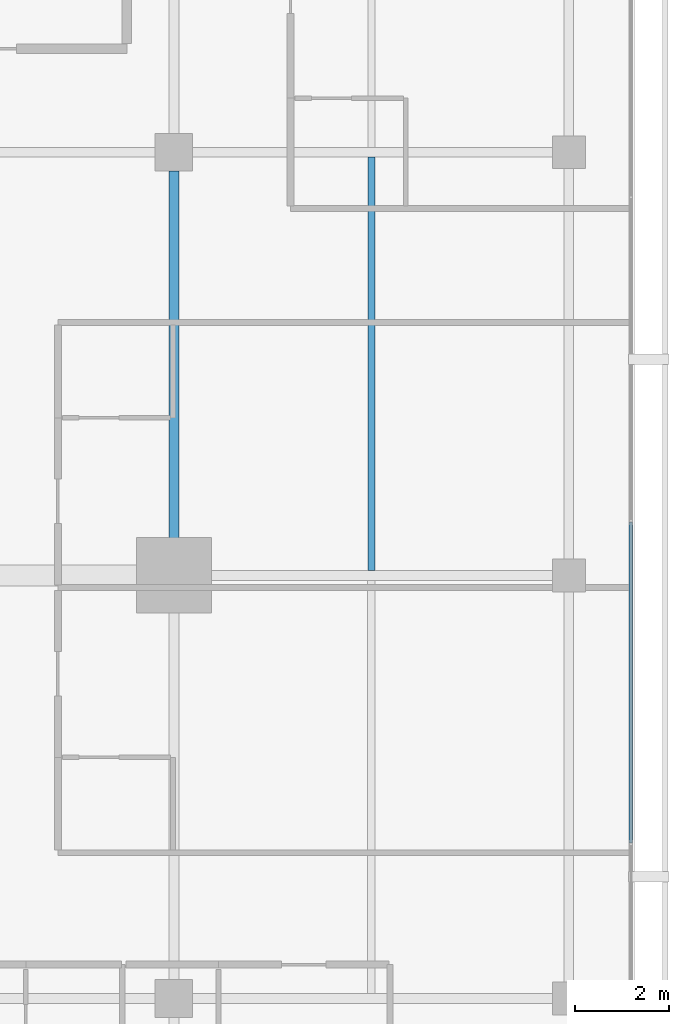
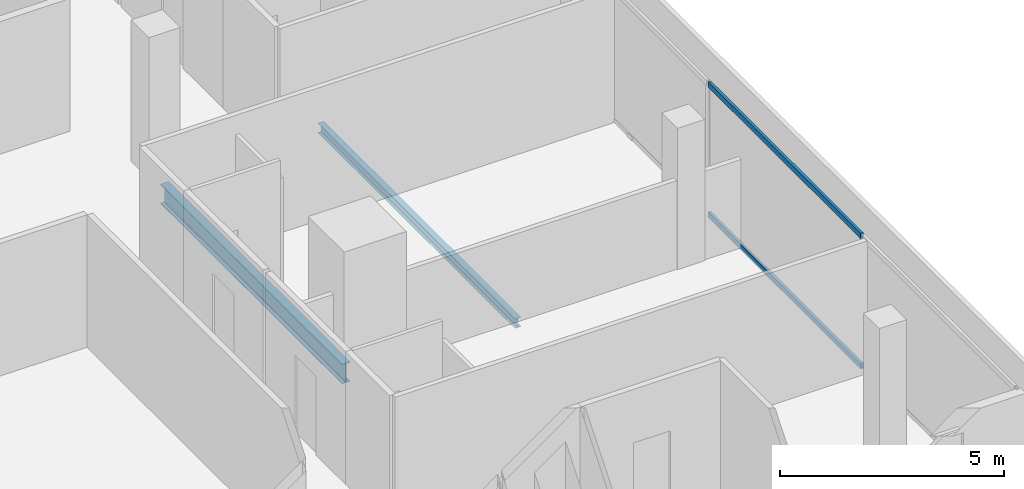
# One storey, part 13 of 25: 2 beams, 2 members, 1 element without a shape of its own.
"""IFC4 building model written with IfcOpenShell, lengths in metres."""

from ifc_helpers import new_model, si_unit, direction, frame, origin, origin_2d, place, context, subcontext, project, spatial, hollow_rectangle, i_section, extrude, material, layer, layer_set, material_profile, profile_set, type_object, element, aggregate, save


model = new_model("IFC4")

# Units and contexts
model_context = context("Model", 3, precision=1e-05, world=origin(), true_north=direction((0.0, 1.0)))
body_context = subcontext(model_context, "Body", "Model", "MODEL_VIEW")
ifc_project = project(units=[si_unit("LENGTHUNIT", "METRE"), si_unit("AREAUNIT", "SQUARE_METRE"), si_unit("VOLUMEUNIT", "CUBIC_METRE"), si_unit("PLANEANGLEUNIT", "RADIAN"), si_unit("MASSUNIT", "GRAM", prefix="KILO")], contexts=[model_context])

# Site, building, storey
site_placement = place(None, origin())
site = spatial("IfcSite", under=ifc_project, at=site_placement, CompositionType="ELEMENT")
building_placement = place(site_placement, origin())
building = spatial("IfcBuilding", under=site, at=building_placement, Name="Maruvema Waterfront Hotel and Observation Tower", CompositionType="ELEMENT")
storey_placement = place(building_placement, frame((0.0, 0.0, 239.39990234375)))
storey = spatial("IfcBuildingStorey", under=building, at=storey_placement, Name="L58", CompositionType="ELEMENT", Elevation=239.39990234375)

# Curtain wall, members
ifc_material_1 = material(Name="Anodised bronze aluminium and solar-control low-E IGU", Category="aluminium")
ifc_layer = layer(ifc_material_1, 0.159912109375, Name="Zone 3 Champagne Inner Thermal Curtain Wall System CW-04")
ifc_layer_set = layer_set([ifc_layer], Name="Anodised bronze aluminium and solar-control low-E IGU")
curtain_wall_type = type_object("IfcCurtainWallType", Name="Zone 3 Champagne Inner Thermal Curtain Wall System CW-04", PredefinedType="USERDEFINED", material=ifc_layer_set)
curtain_wall_placement = place(storey_placement, origin())
curtain_wall = element("IfcCurtainWall", 1, at=curtain_wall_placement, inside=storey, type_object=curtain_wall_type, Name="L58 Curtain Wall CW-L58-E", ObjectType="UNITISED CURTAIN WALL", PredefinedType="USERDEFINED")
ifc_material_2 = material(Name="Anodised architectural bronze aluminium", Category="aluminium")
ifc_material_profile_1 = material_profile(ifc_material_2, hollow_rectangle(XDim=0.070068359375, YDim=0.14990234375, WallThickness=0.00390625, at=origin_2d()), Name="ALU-T70x150")
ifc_profile_set_1 = profile_set([ifc_material_profile_1], Name="Anodised architectural bronze aluminium")
member_type = type_object("IfcMemberType", Name="Curtain Wall Horizontal Transom ALU-T70x150", PredefinedType="USERDEFINED", material=ifc_profile_set_1)
member_1_placement = place(storey_placement, frame((60.1201171875, 21.31005859375, 0.030029296875), z_axis=(0.0, 1.0, 0.0), x_axis=(-1.0, 0.0, 0.0)))
member_1 = element("IfcMember", 2, at=member_1_placement, type_object=member_type, Name="CW-04 transom 2.1", ObjectType="TRANSOM", PredefinedType="USERDEFINED", context=body_context, shape_type="SweptSolid", body=[
    extrude(hollow_rectangle(XDim=0.070068359375, YDim=0.14990234375, WallThickness=0.00390625, at=origin_2d()), origin(), (0.0, 0.0, 1.0), 6.81982421875),
])
member_2_placement = place(storey_placement, frame((60.1201171875, 21.31005859375, 3.580078125), z_axis=(0.0, 1.0, 0.0), x_axis=(-1.0, 0.0, 0.0)))
member_2 = element("IfcMember", 3, at=member_2_placement, type_object=member_type, Name="CW-04 transom 2.2", ObjectType="TRANSOM", PredefinedType="USERDEFINED", context=body_context, shape_type="SweptSolid", body=[
    extrude(hollow_rectangle(XDim=0.070068359375, YDim=0.14990234375, WallThickness=0.00390625, at=origin_2d()), origin(), (0.0, 0.0, 1.0), 6.81982421875),
])
aggregate(curtain_wall, [member_1, member_2])

# Beams
ifc_material_3 = material(Name="Steel ASTM A572 Grade 50", Category="steel")
ifc_material_profile_2 = material_profile(ifc_material_3, i_section(OverallWidth=0.208984375, OverallDepth=0.532958984375, WebThickness=0.01025390625, FlangeThickness=0.015625, FilletRadius=0.014892578125, at=origin_2d()), Name="W530x92.0")
ifc_profile_set_2 = profile_set([ifc_material_profile_2], Name="Steel ASTM A572 Grade 50")
beam_type_1 = type_object("IfcBeamType", Name="Primary Floor Girder W530x92.0", PredefinedType="BEAM", material=ifc_profile_set_2)
beam_1_placement = place(storey_placement, frame((50.39990234375, 27.5, -0.50634765625), z_axis=(0.0, 1.0, 0.0), x_axis=(-1.0, 0.0, 0.0)))
element("IfcBeam", 4, at=beam_1_placement, inside=storey, type_object=beam_type_1, Name="L58 Floor Girder NS-14", PredefinedType="BEAM", context=body_context, shape_type="SweptSolid", body=[
    extrude(i_section(OverallWidth=0.208984375, OverallDepth=0.532958984375, WebThickness=0.01025390625, FlangeThickness=0.015625, FilletRadius=0.014892578125, at=origin_2d()), origin(), (0.0, 0.0, 1.0), 8.10009765625),
])
ifc_material_4 = material(Name="Steel ASTM A572 Grade 50", Category="steel")
ifc_material_profile_3 = material_profile(ifc_material_4, i_section(OverallWidth=0.14794921875, OverallDepth=0.26611328125, WebThickness=0.007568359375, FlangeThickness=0.012939453125, FilletRadius=0.012939453125, at=origin_2d()), Name="W250x44.8")
ifc_profile_set_3 = profile_set([ifc_material_profile_3], Name="Steel ASTM A572 Grade 50")
beam_type_2 = type_object("IfcBeamType", Name="Secondary Floor Joist W250x44.8", PredefinedType="JOIST", material=ifc_profile_set_3)
beam_2_placement = place(storey_placement, frame((54.60009765625, 27.1044921875, -0.372802734375), z_axis=(0.0, 1.0, 0.0), x_axis=(-1.0, 0.0, 0.0)))
element("IfcBeam", 5, at=beam_2_placement, inside=storey, type_object=beam_type_2, Name="L58 Secondary Floor Joist JS-08", PredefinedType="JOIST", context=body_context, shape_type="SweptSolid", body=[
    extrude(i_section(OverallWidth=0.14794921875, OverallDepth=0.26611328125, WebThickness=0.007568359375, FlangeThickness=0.012939453125, FilletRadius=0.012939453125, at=origin_2d()), origin(), (0.0, 0.0, 1.0), 8.791015625),
])

save(model, "model.ifc")
